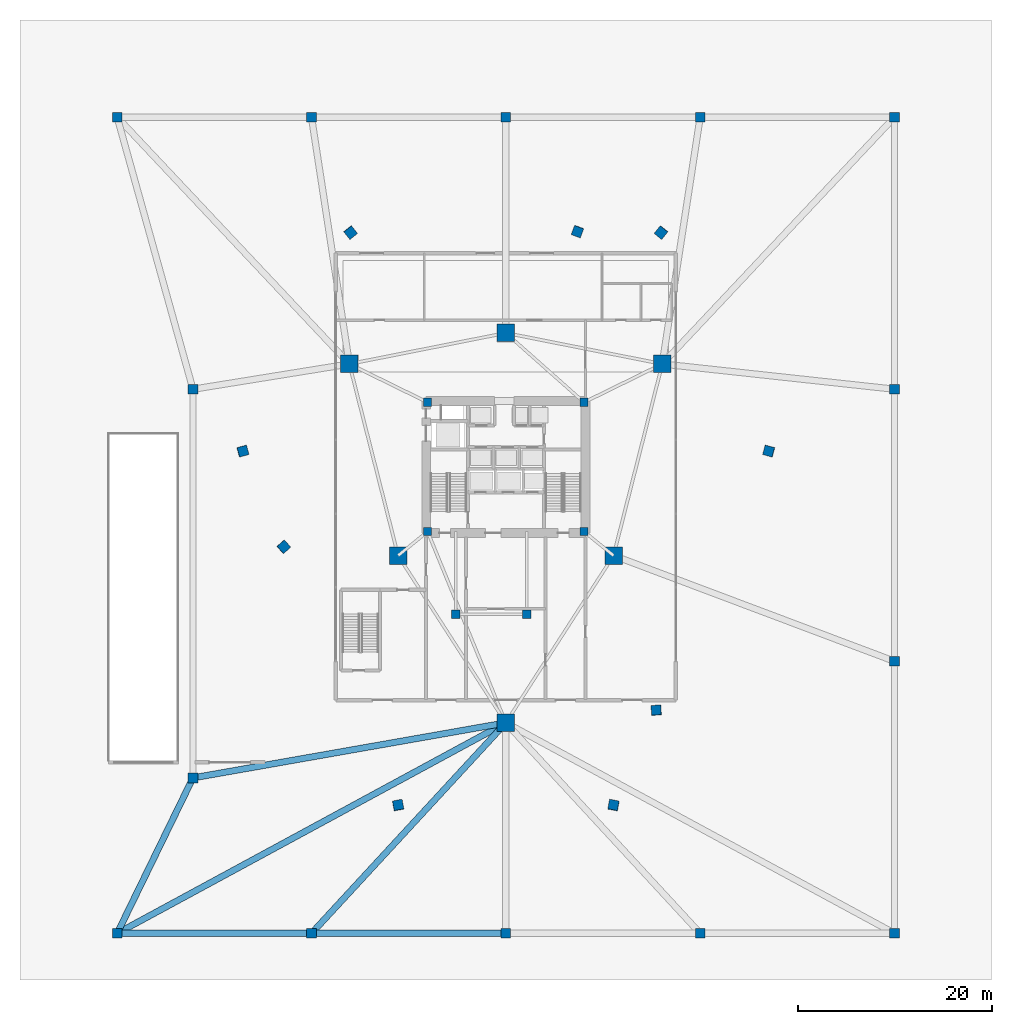
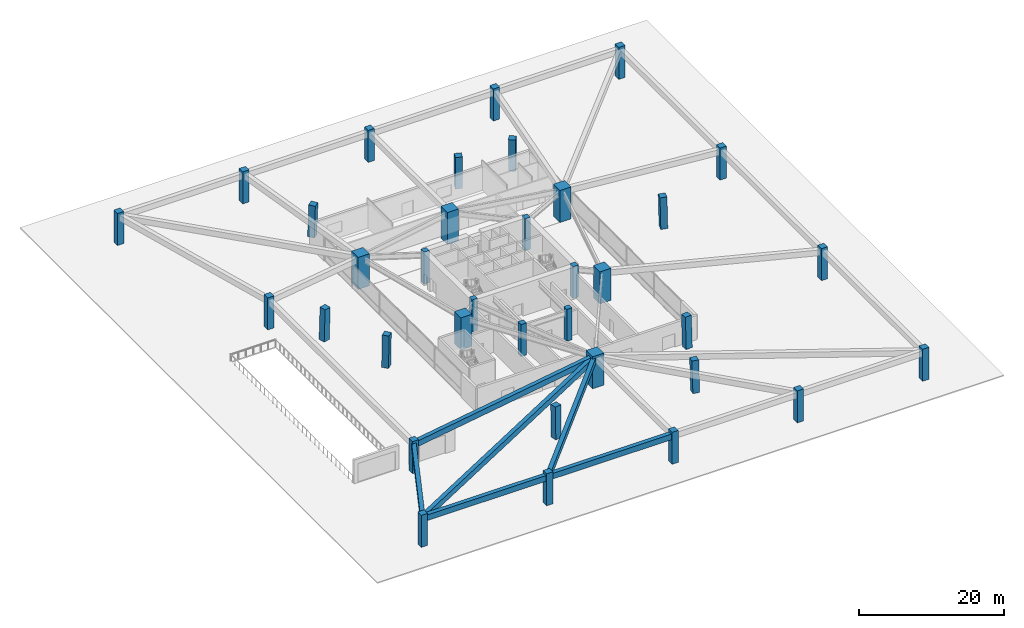
# One storey, part 1 of 19: 35 columns, 6 beams.
"""IFC4 building model written with IfcOpenShell, lengths in metres."""

from ifc_helpers import new_model, si_unit, direction, frame, origin, origin_2d, place, context, subcontext, project, spatial, rectangle, extrude, material, material_profile, profile_set, type_object, element, save


model = new_model("IFC4")

# Units and contexts
model_context = context("Model", 3, precision=1e-05, world=origin(), true_north=direction((0.0, 1.0)))
body_context = subcontext(model_context, "Body", "Model", "MODEL_VIEW")
ifc_project = project(units=[si_unit("LENGTHUNIT", "METRE"), si_unit("AREAUNIT", "SQUARE_METRE"), si_unit("VOLUMEUNIT", "CUBIC_METRE"), si_unit("PLANEANGLEUNIT", "RADIAN"), si_unit("MASSUNIT", "GRAM", prefix="KILO")], contexts=[model_context])

# Site, building, storey
site_placement = place(None, origin())
site = spatial("IfcSite", under=ifc_project, at=site_placement, CompositionType="ELEMENT")
building_placement = place(site_placement, origin())
building = spatial("IfcBuilding", under=site, at=building_placement, Name="Talyreon Biosciences Tower", CompositionType="ELEMENT")
storey_placement = place(building_placement, origin())
storey = spatial("IfcBuildingStorey", under=building, at=storey_placement, Name="L00", CompositionType="ELEMENT", Elevation=0.0)

# Columns
ifc_material_1 = material(Name="Concrete C60/75", Category="concrete")
ifc_material_profile_1 = material_profile(ifc_material_1, rectangle(XDim=1.800048828125, YDim=1.800048828125, at=origin_2d()), Name="RC 1800x1800")
ifc_profile_set_1 = profile_set([ifc_material_profile_1], Name="Concrete C60/75")
column_type_1 = type_object("IfcColumnType", Name="MegaColumn_1800", PredefinedType="COLUMN", material=ifc_profile_set_1)
for number, where, z_axis, x_axis, name in (
    (1, (66.0, 41.6669921875, 0.0), (0.0, 0.0, 1.0), (1.0, 0.0, 0.0), "L00 Composite Mega-Column MC1"),
    (2, (82.102294921875, 78.5986328125, 0.0), (0.0, 0.0, 1.0), (1.0, 0.0, 0.0), "L00 Composite Mega-Column MC2"),
    (3, (49.897705078125, 78.5986328125, 0.0), (0.0, 0.0, 1.0), (1.0, 0.0, 0.0), "L00 Composite Mega-Column MC3"),
    (4, (77.086181640625, 58.88037109375, 0.0), (0.0, 0.0, 1.0), (1.0, 0.0, 0.0), "L00 Composite Mega-Column MC4"),
    (5, (66.0, 81.788818359375, 0.0), (0.0, 0.0, 1.0), (1.0, 0.0, 0.0), "L00 Composite Mega-Column MC5"),
    (6, (54.913818359375, 58.88037109375, 0.0), (0.0, 0.0, 1.0), (1.0, 0.0, 0.0), "L00 Composite Mega-Column MC6"),
):
    element("IfcColumn", number, at=place(storey_placement, frame(where, z_axis=z_axis, x_axis=x_axis)), inside=storey, type_object=column_type_1, Name=name, PredefinedType="COLUMN", context=body_context, shape_type="SweptSolid", body=[
        extrude(rectangle(XDim=1.800048828125, YDim=1.800048828125, at=origin_2d()), origin(), (0.0, 0.0, 1.0), 5.39990234375),
    ])
ifc_material_profile_2 = material_profile(ifc_material_1, rectangle(XDim=0.85009765625, YDim=0.85009765625, at=origin_2d()), Name="RC 850x850")
ifc_profile_set_2 = profile_set([ifc_material_profile_2], Name="Concrete C60/75")
column_type_2 = type_object("IfcColumnType", Name="PerimeterColumn_850", PredefinedType="COLUMN", material=ifc_profile_set_2)
for number, where, z_axis, x_axis, name in (
    (7, (57.949951171875, 61.35009765625, 0.0), (0.0, 0.0, 1.0), (1.0, 0.0, 0.0), "L00 Core Column CC1"),
    (8, (74.050048828125, 61.35009765625, 0.0), (0.0, 0.0, 1.0), (1.0, 0.0, 0.0), "L00 Core Column CC2"),
    (9, (74.050048828125, 74.64990234375, 0.0), (0.0, 0.0, 1.0), (1.0, 0.0, 0.0), "L00 Core Column CC3"),
    (10, (57.949951171875, 74.64990234375, 0.0), (0.0, 0.0, 1.0), (1.0, 0.0, 0.0), "L00 Core Column CC4"),
    (11, (60.85009765625, 52.840087890625, 0.0), (0.0, 0.0, 1.0), (1.0, 0.0, 0.0), "L00 Core Column CSW"),
    (12, (68.14990234375, 52.840087890625, 0.0), (0.0, 0.0, 1.0), (1.0, 0.0, 0.0), "L00 Core Column CSE"),
):
    element("IfcColumn", number, at=place(storey_placement, frame(where, z_axis=z_axis, x_axis=x_axis)), inside=storey, type_object=column_type_2, Name=name, PredefinedType="COLUMN", context=body_context, shape_type="SweptSolid", body=[
        extrude(rectangle(XDim=0.85009765625, YDim=0.85009765625, at=origin_2d()), origin(), (0.0, 0.0, 1.0), 5.39990234375),
    ])
ifc_material_profile_3 = material_profile(ifc_material_1, rectangle(XDim=1.0, YDim=1.0, at=origin_2d()), Name="RC 1000x1000")
ifc_profile_set_3 = profile_set([ifc_material_profile_3], Name="Concrete C60/75")
column_type_3 = type_object("IfcColumnType", Name="PodiumColumn_1000", PredefinedType="COLUMN", material=ifc_profile_set_3)
for number, where, z_axis, x_axis, name in (
    (13, (26.0, 20.0, 0.0), (0.0, 0.0, 1.0), (1.0, 0.0, 0.0), "L00 Podium Pilotis Column PDC01"),
    (14, (46.0, 20.0, 0.0), (0.0, 0.0, 1.0), (1.0, 0.0, 0.0), "L00 Podium Pilotis Column PDC02"),
    (15, (66.0, 20.0, 0.0), (0.0, 0.0, 1.0), (1.0, 0.0, 0.0), "L00 Podium Pilotis Column PDC03"),
    (16, (86.0, 20.0, 0.0), (0.0, 0.0, 1.0), (1.0, 0.0, 0.0), "L00 Podium Pilotis Column PDC04"),
    (17, (106.0, 20.0, 0.0), (0.0, 0.0, 1.0), (1.0, 0.0, 0.0), "L00 Podium Pilotis Column PDC05"),
    (18, (106.0, 48.0, 0.0), (0.0, 0.0, 1.0), (1.0, 0.0, 0.0), "L00 Podium Pilotis Column PDC06"),
    (19, (106.0, 76.0, 0.0), (0.0, 0.0, 1.0), (1.0, 0.0, 0.0), "L00 Podium Pilotis Column PDC07"),
    (20, (106.0, 104.0, 0.0), (0.0, 0.0, 1.0), (1.0, 0.0, 0.0), "L00 Podium Pilotis Column PDC08"),
    (21, (86.0, 104.0, 0.0), (0.0, 0.0, 1.0), (1.0, 0.0, 0.0), "L00 Podium Pilotis Column PDC09"),
    (22, (66.0, 104.0, 0.0), (0.0, 0.0, 1.0), (1.0, 0.0, 0.0), "L00 Podium Pilotis Column PDC10"),
    (23, (46.0, 104.0, 0.0), (0.0, 0.0, 1.0), (1.0, 0.0, 0.0), "L00 Podium Pilotis Column PDC11"),
    (24, (26.0, 104.0, 0.0), (0.0, 0.0, 1.0), (1.0, 0.0, 0.0), "L00 Podium Pilotis Column PDC12"),
    (25, (33.800048828125, 76.0, 0.0), (0.0, 0.0, 1.0), (1.0, 0.0, 0.0), "L00 Podium Pilotis Column PDC13"),
    (26, (33.800048828125, 36.0, 0.0), (0.0, 0.0, 1.0), (1.0, 0.0, 0.0), "L00 Podium Pilotis Column PDC14"),
):
    element("IfcColumn", number, at=place(storey_placement, frame(where, z_axis=z_axis, x_axis=x_axis)), inside=storey, type_object=column_type_3, Name=name, PredefinedType="COLUMN", context=body_context, shape_type="SweptSolid", body=[
        extrude(rectangle(XDim=1.0, YDim=1.0, at=origin_2d()), origin(), (0.0, 0.0, 1.0), 5.39990234375),
    ])
column_1_placement = place(storey_placement, frame((77.08740234375, 33.17724609375, 0.0029296875), z_axis=(-0.008412569703, 0.03681629967, 0.999286639934), x_axis=(-0.187626640714, -0.981631312018, 0.034586282828)))
element("IfcColumn", 27, at=column_1_placement, inside=storey, type_object=column_type_3, Name="L00 Tapering Perimeter Column PC-SE1", PredefinedType="COLUMN", context=body_context, shape_type="SweptSolid", body=[
    extrude(rectangle(XDim=1.0, YDim=1.0, at=origin_2d()), origin(), (0.0, 0.0, 1.0), 5.39794921875),
])
column_2_placement = place(storey_placement, frame((81.48291015625, 42.95263671875, 0.0029296875), z_axis=(-0.013301146081, 0.025878420267, 0.999576603807), x_axis=(0.061316028243, -0.997762628088, 0.026647376463)))
element("IfcColumn", 28, at=column_2_placement, inside=storey, type_object=column_type_3, Name="L00 Tapering Perimeter Column PL-SE", PredefinedType="COLUMN", context=body_context, shape_type="SweptSolid", body=[
    extrude(rectangle(XDim=1.0, YDim=1.0, at=origin_2d()), origin(), (0.0, 0.0, 1.0), 5.396240234375),
])
column_3_placement = place(storey_placement, frame((93.0732421875, 69.635009765625, 0.0029296875), z_axis=(-0.026513513032, -0.00389106164, 0.99964088215), x_axis=(0.964102930568, -0.264392207133, 0.024541802639)))
element("IfcColumn", 29, at=column_3_placement, inside=storey, type_object=column_type_3, Name="L00 Tapering Perimeter Column PC-SE2", PredefinedType="COLUMN", context=body_context, shape_type="SweptSolid", body=[
    extrude(rectangle(XDim=1.0, YDim=1.0, at=origin_2d()), origin(), (0.0, 0.0, 1.0), 5.39599609375),
])
column_4_placement = place(storey_placement, frame((81.986083984375, 92.137939453125, 0.0029296875), z_axis=(-0.018187300269, -0.022666262275, 0.999577642139), x_axis=(-0.779956681152, 0.625833504637, 0.0)))
element("IfcColumn", 30, at=column_4_placement, inside=storey, type_object=column_type_3, Name="L00 Tapering Perimeter Column PC-N1", PredefinedType="COLUMN", context=body_context, shape_type="SweptSolid", body=[
    extrude(rectangle(XDim=1.0, YDim=1.0, at=origin_2d()), origin(), (0.0, 0.0, 1.0), 5.396240234375),
])
column_5_placement = place(storey_placement, frame((73.378173828125, 92.23779296875, 0.0029296875), z_axis=(-0.008370868804, -0.022669217681, 0.999707974923), x_axis=(-0.9380871136, 0.346399433166, 0.0)))
element("IfcColumn", 31, at=column_5_placement, inside=storey, type_object=column_type_3, Name="L00 Tapering Perimeter Column PL-N", PredefinedType="COLUMN", context=body_context, shape_type="SweptSolid", body=[
    extrude(rectangle(XDim=1.0, YDim=1.0, at=origin_2d()), origin(), (0.0, 0.0, 1.0), 5.3955078125),
])
column_6_placement = place(storey_placement, frame((50.013916015625, 92.137939453125, 0.0029296875), z_axis=(0.018187300269, -0.022666262275, 0.999577642139), x_axis=(-0.779956681152, -0.625833504637, 0.0)))
element("IfcColumn", 32, at=column_6_placement, inside=storey, type_object=column_type_3, Name="L00 Tapering Perimeter Column PC-N2", PredefinedType="COLUMN", context=body_context, shape_type="SweptSolid", body=[
    extrude(rectangle(XDim=1.0, YDim=1.0, at=origin_2d()), origin(), (0.0, 0.0, 1.0), 5.396240234375),
])
column_7_placement = place(storey_placement, frame((38.9267578125, 69.635009765625, 0.0029296875), z_axis=(0.026513513032, -0.00389106164, 0.99964088215), x_axis=(0.964102930568, 0.264392207133, -0.024541802639)))
element("IfcColumn", 33, at=column_7_placement, inside=storey, type_object=column_type_3, Name="L00 Tapering Perimeter Column PC-SW1", PredefinedType="COLUMN", context=body_context, shape_type="SweptSolid", body=[
    extrude(rectangle(XDim=1.0, YDim=1.0, at=origin_2d()), origin(), (0.0, 0.0, 1.0), 5.39599609375),
])
column_8_placement = place(storey_placement, frame((43.13916015625, 59.779296875, 0.0029296875), z_axis=(0.021629232605, 0.007058912733, 0.99974114052), x_axis=(0.745813376679, 0.665828983452, -0.020836793495)))
element("IfcColumn", 34, at=column_8_placement, inside=storey, type_object=column_type_3, Name="L00 Tapering Perimeter Column PL-SW", PredefinedType="COLUMN", context=body_context, shape_type="SweptSolid", body=[
    extrude(rectangle(XDim=1.0, YDim=1.0, at=origin_2d()), origin(), (0.0, 0.0, 1.0), 5.3955078125),
])
column_9_placement = place(storey_placement, frame((54.91259765625, 33.17724609375, 0.0029296875), z_axis=(0.008412569703, 0.03681629967, 0.999286639934), x_axis=(-0.187626640714, 0.981631312018, -0.034586282828)))
element("IfcColumn", 35, at=column_9_placement, inside=storey, type_object=column_type_3, Name="L00 Tapering Perimeter Column PC-SW2", PredefinedType="COLUMN", context=body_context, shape_type="SweptSolid", body=[
    extrude(rectangle(XDim=1.0, YDim=1.0, at=origin_2d()), origin(), (0.0, 0.0, 1.0), 5.39794921875),
])

# Beams
ifc_material_2 = material(Name="Concrete C50/60", Category="concrete")
ifc_material_profile_4 = material_profile(ifc_material_2, rectangle(XDim=0.64990234375, YDim=0.949951171875, at=origin_2d()), Name="RCB 650x950")
ifc_profile_set_4 = profile_set([ifc_material_profile_4], Name="Concrete C50/60")
beam_type = type_object("IfcBeamType", Name="PodiumGirder_650x950", PredefinedType="T_BEAM", material=ifc_profile_set_4)
for number, where, z_axis, x_axis, name in (
    (36, (26.0, 20.0, 4.52490234375), (1.0, 0.0, 0.0), (0.0, 1.0, 0.0), "L00 Podium Perimeter Ring Girder 01"),
    (37, (46.0, 20.0, 4.52490234375), (1.0, 0.0, 0.0), (0.0, 1.0, 0.0), "L00 Podium Perimeter Ring Girder 02"),
):
    element("IfcBeam", number, at=place(storey_placement, frame(where, z_axis=z_axis, x_axis=x_axis)), inside=storey, type_object=beam_type, Name=name, PredefinedType="T_BEAM", context=body_context, shape_type="SweptSolid", body=[
        extrude(rectangle(XDim=0.64990234375, YDim=0.949951171875, at=origin_2d()), origin(), (0.0, 0.0, 1.0), 20.0),
    ])
beam_1_placement = place(storey_placement, frame((33.800048828125, 36.0, 4.52490234375), z_axis=(-0.438204463597, -0.898875323993, 0.0), x_axis=(0.898875323993, -0.438204463597, 0.0)))
element("IfcBeam", 38, at=beam_1_placement, inside=storey, type_object=beam_type, Name="L00 Podium Perimeter Ring Girder 14", PredefinedType="T_BEAM", context=body_context, shape_type="SweptSolid", body=[
    extrude(rectangle(XDim=0.64990234375, YDim=0.949951171875, at=origin_2d()), origin(), (0.0, 0.0, 1.0), 17.800048828125),
])
beam_2_placement = place(storey_placement, frame((66.0, 41.6669921875, 4.52490234375), z_axis=(-0.879288969782, -0.47628868097, 0.0), x_axis=(0.47628868097, -0.879288969782, 0.0)))
element("IfcBeam", 39, at=beam_2_placement, inside=storey, type_object=beam_type, Name="L00 Podium Radial Tie Girder PDC01", PredefinedType="T_BEAM", context=body_context, shape_type="SweptSolid", body=[
    extrude(rectangle(XDim=0.64990234375, YDim=0.949951171875, at=origin_2d()), origin(), (0.0, 0.0, 1.0), 45.4912109375),
])
beam_3_placement = place(storey_placement, frame((66.0, 41.6669921875, 4.52490234375), z_axis=(-0.678274600536, -0.73480852354, 0.0), x_axis=(0.73480852354, -0.678274600536, 0.0)))
element("IfcBeam", 40, at=beam_3_placement, inside=storey, type_object=beam_type, Name="L00 Podium Radial Tie Girder PDC02", PredefinedType="T_BEAM", context=body_context, shape_type="SweptSolid", body=[
    extrude(rectangle(XDim=0.64990234375, YDim=0.949951171875, at=origin_2d()), origin(), (0.0, 0.0, 1.0), 29.486572265625),
])
beam_4_placement = place(storey_placement, frame((66.0, 41.6669921875, 4.52490234375), z_axis=(-0.984863814232, -0.173329938024, 0.0), x_axis=(0.173329938024, -0.984863814232, 0.0)))
element("IfcBeam", 41, at=beam_4_placement, inside=storey, type_object=beam_type, Name="L00 Podium Radial Tie Girder PDC14", PredefinedType="T_BEAM", context=body_context, shape_type="SweptSolid", body=[
    extrude(rectangle(XDim=0.64990234375, YDim=0.949951171875, at=origin_2d()), origin(), (0.0, 0.0, 1.0), 32.69482421875),
])

save(model, "model.ifc")
